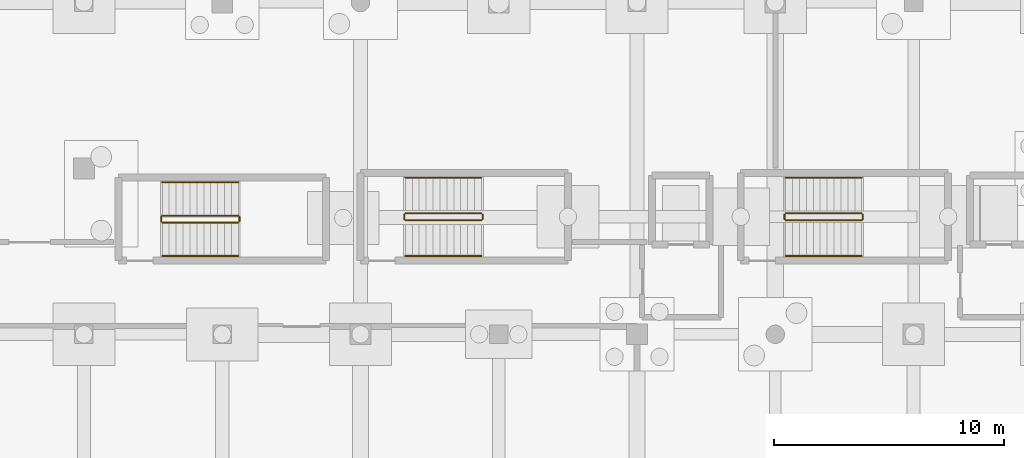
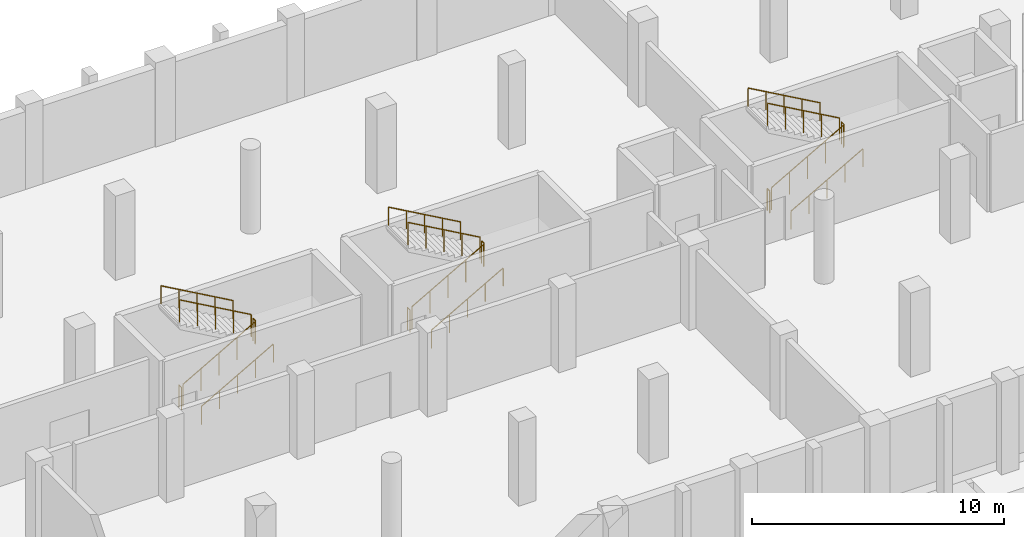
# One storey, part 9 of 11: 18 railings.
"""IFC4 building model written with IfcOpenShell, lengths in metres."""

import ifcopenshell
import ifcopenshell.guid

model = None  # the IFC model being written
_history = None  # IfcOwnerHistory: only IFC2X3 demands one
_inside = {}  # id of a spatial element -> (the spatial element, [elements in it])
_under = {}  # id of a project, library or spatial element -> (it, [spatial elements below it])
_declared = {}  # id of a project -> (the project, [libraries it declares])
_typed = {}  # id of a type object -> (the type object, [elements of that type])
_made_of = {}  # id of a material, layer set ... -> (it, [elements and type objects made of it])


def new_model(schema):
    """Start an empty IFC model of exactly this schema.

    Asked for "IFC4X3", IfcOpenShell would pick the latest addendum, in which some entities
    have other attributes; the version numbers below select the first issue.
    IFC2X3 requires an IfcOwnerHistory on every rooted entity: one is made here for all.
    """
    global model, _history
    if schema == "IFC4X3":
        model = ifcopenshell.file(schema_version=(4, 3, 0, 0))
    else:
        model = ifcopenshell.file(schema=schema)
    _inside.clear()
    _under.clear()
    _declared.clear()
    _typed.clear()
    _made_of.clear()
    _history = None
    if model.schema == "IFC2X3":
        org = make("IfcOrganization", Name="unknown")
        user = make(
            "IfcPersonAndOrganization",
            ThePerson=make("IfcPerson", FamilyName="unknown"),
            TheOrganization=org,
        )
        app = make(
            "IfcApplication",
            ApplicationDeveloper=org,
            Version="unknown",
            ApplicationFullName="unknown",
            ApplicationIdentifier="unknown",
        )
        _history = make(
            "IfcOwnerHistory",
            OwningUser=user,
            OwningApplication=app,
            ChangeAction="ADDED",
            CreationDate=0,
        )
    return model


def make(cls, **values):
    """One entity of the class cls with the attributes given. An attribute that is None is left unset."""
    return model.create_entity(
        cls, **{name: value for name, value in values.items() if value is not None}
    )


def rooted(cls, **values):
    """An entity with a GlobalId (a new one), such as an element, a storey or a relation."""
    return make(cls, GlobalId=ifcopenshell.guid.new(), OwnerHistory=_history, **values)


def si_unit(unit_type, name, prefix=None):
    """IfcSIUnit, for example si_unit("LENGTHUNIT", "METRE", prefix="MILLI")."""
    return make("IfcSIUnit", UnitType=unit_type, Prefix=prefix, Name=name)


def assignment(units):
    """IfcUnitAssignment: the units of a project."""
    return None if units is None else make("IfcUnitAssignment", Units=units)


def point(xyz):
    """IfcCartesianPoint."""
    return None if xyz is None else make("IfcCartesianPoint", Coordinates=xyz)


def direction(xyz):
    """IfcDirection."""
    return None if xyz is None else make("IfcDirection", DirectionRatios=xyz)


def frame(location, z_axis=None, x_axis=None):
    """IfcAxis2Placement3D, a coordinate frame: its origin and axes. An axis left out is left unset."""
    return make(
        "IfcAxis2Placement3D",
        Location=point(location),
        Axis=direction(z_axis),
        RefDirection=direction(x_axis),
    )


def frame_2d(location, x_axis=None):
    """IfcAxis2Placement2D, a coordinate frame in the plane: its origin and x axis."""
    return make(
        "IfcAxis2Placement2D", Location=point(location), RefDirection=direction(x_axis)
    )


def origin():
    """The frame at (0, 0, 0) with its axes left unset."""
    return frame((0.0, 0.0, 0.0))


def origin_2d():
    """The frame at (0, 0) in the plane with its x axis left unset."""
    return frame_2d((0.0, 0.0))


def place(relative_to, where):
    """IfcLocalPlacement: puts the frame where relative to a parent placement (None: the world)."""
    return make(
        "IfcLocalPlacement", PlacementRelTo=relative_to, RelativePlacement=where
    )


def context(
    kind, dimensions, precision=None, world=None, true_north=None, identifier=None
):
    """IfcGeometricRepresentationContext, for example the 3D "Model" context."""
    return make(
        "IfcGeometricRepresentationContext",
        ContextIdentifier=identifier,
        ContextType=kind,
        CoordinateSpaceDimension=dimensions,
        Precision=precision,
        WorldCoordinateSystem=world,
        TrueNorth=true_north,
    )


def subcontext(parent, identifier, kind, view, scale=None):
    """IfcGeometricRepresentationSubContext, for example "Body" below "Model"."""
    return make(
        "IfcGeometricRepresentationSubContext",
        ContextIdentifier=identifier,
        ContextType=kind,
        ParentContext=parent,
        TargetScale=scale,
        TargetView=view,
    )


def project(units=None, contexts=None):
    """IfcProject with its units and contexts."""
    return rooted(
        "IfcProject",
        Name="project",
        RepresentationContexts=contexts,
        UnitsInContext=assignment(units),
    )


def spatial(cls, under=None, at=None, **own):
    """A site, building, storey or space (cls), placed at a placement, below another one or the project."""
    s = rooted(cls, ObjectPlacement=at, **own)
    if under is not None:
        _under.setdefault(under.id(), (under, []))[1].append(s)
    return s


def profile(cls, at=None, kind="AREA", **sizes):
    """A parametric profile (cls). Its sizes go by their IFC names, for example OverallWidth=200.0."""
    return make(cls, ProfileType=kind, Position=at, **sizes)


def circle(**sizes):
    """IfcCircleProfileDef."""
    return profile("IfcCircleProfileDef", **sizes)


def extrude(swept, where, along, depth):
    """IfcExtrudedAreaSolid: the profile swept, set in the frame where, extruded along a direction by depth."""
    return make(
        "IfcExtrudedAreaSolid",
        SweptArea=swept,
        Position=where,
        ExtrudedDirection=direction(along),
        Depth=depth,
    )


def shape(context_of_items, identifier, shape_type, items):
    """IfcShapeRepresentation: the items that make up one representation, for example the "Body"."""
    return make(
        "IfcShapeRepresentation",
        ContextOfItems=context_of_items,
        RepresentationIdentifier=identifier,
        RepresentationType=shape_type,
        Items=items,
    )


def material(Name=None, Category=None):
    """IfcMaterial."""
    return make("IfcMaterial", Name=Name, Category=Category)


def made_of(thing, what):
    """Note that an element or type object is made of a material, layer set ...; save() writes the relation."""
    if what is not None:
        _made_of.setdefault(what.id(), (what, []))[1].append(thing)
    return thing


def type_object(cls, material=None, **own):
    """A type object (cls), such as IfcWallType, which elements share."""
    return made_of(rooted(cls, **own), material)


def element(
    cls,
    number,
    at=None,
    inside=None,
    cuts=None,
    type_object=None,
    material=None,
    context=None,
    identifier="Body",
    shape_type=None,
    held_by="IfcProductDefinitionShape",
    body=None,
    shapes=None,
    **own,
):
    """One element of the class cls, such as IfcWall. Its Tag is "e" and its number.

    at: its placement. inside: the storey or other place that contains it. cuts: it is an
    opening in that element (IfcRelVoidsElement). A single representation is given by context,
    identifier, shape_type and body (its items); several are given by shapes. held_by: the class
    of the entity that holds the representations. save() writes the other relations.
    """
    e = rooted(cls, Tag="e%d" % number, ObjectPlacement=at, **own)
    if body is not None:
        shapes = [shape(context, identifier, shape_type, body)]
    if shapes is not None:
        e.Representation = make(held_by, Representations=shapes)
    if inside is not None:
        _inside.setdefault(inside.id(), (inside, []))[1].append(e)
    if cuts is not None:
        rooted(
            "IfcRelVoidsElement", RelatingBuildingElement=cuts, RelatedOpeningElement=e
        )
    if type_object is not None:
        _typed.setdefault(type_object.id(), (type_object, []))[1].append(e)
    return made_of(e, material)


def aggregate(whole, parts):
    """IfcRelAggregates: a whole, such as a stair, and the parts it consists of."""
    return rooted("IfcRelAggregates", RelatingObject=whole, RelatedObjects=parts)


def save(model, path):
    """Write the relations noted so far, then the file.

    IfcRelAggregates (storeys below a building ...), IfcRelContainedInSpatialStructure (elements
    in a storey), IfcRelDefinesByType, IfcRelAssociatesMaterial and IfcRelDeclares: one each for
    every whole, place, type object, material and project.
    """
    for whole, parts in _under.values():
        aggregate(whole, parts)
    for where, things in _inside.values():
        rooted(
            "IfcRelContainedInSpatialStructure",
            RelatedElements=things,
            RelatingStructure=where,
        )
    for kind, things in _typed.values():
        rooted("IfcRelDefinesByType", RelatedObjects=things, RelatingType=kind)
    for what, things in _made_of.values():
        rooted("IfcRelAssociatesMaterial", RelatedObjects=things, RelatingMaterial=what)
    for by, libraries in _declared.values():
        rooted("IfcRelDeclares", RelatingContext=by, RelatedDefinitions=libraries)
    model.write(path)


model = new_model("IFC4")

# Units and contexts
model_context = context("Model", 3, precision=1e-05, world=origin(), true_north=direction((0.0, 1.0)))
body_context = subcontext(model_context, "Body", "Model", "MODEL_VIEW")
ifc_project = project(units=[si_unit("LENGTHUNIT", "METRE"), si_unit("AREAUNIT", "SQUARE_METRE"), si_unit("VOLUMEUNIT", "CUBIC_METRE"), si_unit("PLANEANGLEUNIT", "RADIAN"), si_unit("MASSUNIT", "GRAM", prefix="KILO")], contexts=[model_context])

# Site, building, storey
site_placement = place(None, origin())
site = spatial("IfcSite", under=ifc_project, at=site_placement, CompositionType="ELEMENT")
building_placement = place(site_placement, origin())
building = spatial("IfcBuilding", under=site, at=building_placement, Name="Dunvalen Ferry Terminal", CompositionType="ELEMENT")
storey_placement = place(building_placement, frame((0.0, 0.0, -4.080078125)))
storey = spatial("IfcBuildingStorey", under=building, at=storey_placement, Name="B1", CompositionType="ELEMENT", Elevation=-4.080078125)

# Railings
ifc_material_1 = material(Name="Painted galvanised steel S275", Category="steel")
railing_type_1 = type_object("IfcRailingType", Name="INT-RL-STGRD", PredefinedType="GUARDRAIL", material=ifc_material_1)
railing_1_placement = place(storey_placement, frame((25.949951171875, 19.35009765625, 0.170166015625)))
element("IfcRailing", 1, at=railing_1_placement, inside=storey, type_object=railing_type_1, Name="B1 ST1 stair guard 1", PredefinedType="GUARDRAIL", context=body_context, shape_type="SweptSolid", body=[
    extrude(circle(Radius=0.02392578125, at=origin_2d()), frame((0.0, 0.0, 1.076171875), z_axis=(0.870039670856, 0.0, 0.49298171481), x_axis=(0.0, 1.0, 0.0)), (0.0, 0.0, 1.0), 3.79296875),
    extrude(circle(Radius=0.02099609375, at=origin_2d()), origin(), (0.0, 0.0, 1.0), 1.052001953125),
    extrude(circle(Radius=0.02099609375, at=origin_2d()), frame((0.824951171875, 0.0, 0.467529296875)), (0.0, 0.0, 1.0), 1.052001953125),
    extrude(circle(Radius=0.02099609375, at=origin_2d()), frame((1.64990234375, 0.0, 0.93505859375)), (0.0, 0.0, 1.0), 1.052001953125),
    extrude(circle(Radius=0.02099609375, at=origin_2d()), frame((2.47509765625, 0.0, 1.40234375)), (0.0, 0.0, 1.0), 1.052001953125),
    extrude(circle(Radius=0.02099609375, at=origin_2d()), frame((3.300048828125, 0.0, 1.869873046875)), (0.0, 0.0, 1.0), 1.052001953125),
])
railing_2_placement = place(storey_placement, frame((29.300048828125, 19.39990234375, 2.0400390625)))
element("IfcRailing", 2, at=railing_2_placement, inside=storey, type_object=railing_type_1, Name="B1 ST1 stair guard 2", PredefinedType="GUARDRAIL", context=body_context, shape_type="SweptSolid", body=[
    extrude(circle(Radius=0.02392578125, at=origin_2d()), frame((0.0, 0.0, 1.076171875), z_axis=(0.0, 1.0, 0.0), x_axis=(-1.0, 0.0, 0.0)), (0.0, 0.0, 1.0), 0.2001953125),
    extrude(circle(Radius=0.02099609375, at=origin_2d()), origin(), (0.0, 0.0, 1.0), 1.052001953125),
    extrude(circle(Radius=0.02099609375, at=origin_2d()), frame((0.0, 0.2001953125, 0.0)), (0.0, 0.0, 1.0), 1.052001953125),
])
railing_3_placement = place(storey_placement, frame((29.25, 19.64990234375, 2.2099609375)))
element("IfcRailing", 3, at=railing_3_placement, inside=storey, type_object=railing_type_1, Name="B1 ST1 stair guard 3", PredefinedType="GUARDRAIL", context=body_context, shape_type="SweptSolid", body=[
    extrude(circle(Radius=0.02392578125, at=origin_2d()), frame((0.0, 0.0, 1.076171875), z_axis=(-0.870012062771, 0.0, 0.493030435808), x_axis=(0.0, -1.0, 0.0)), (0.0, 0.0, 1.0), 3.793212890625),
    extrude(circle(Radius=0.02099609375, at=origin_2d()), origin(), (0.0, 0.0, 1.0), 1.052001953125),
    extrude(circle(Radius=0.02099609375, at=origin_2d()), frame((-0.824951171875, 0.0, 0.467529296875)), (0.0, 0.0, 1.0), 1.052001953125),
    extrude(circle(Radius=0.02099609375, at=origin_2d()), frame((-1.64990234375, 0.0, 0.93505859375)), (0.0, 0.0, 1.0), 1.052001953125),
    extrude(circle(Radius=0.02099609375, at=origin_2d()), frame((-2.47509765625, 0.0, 1.402587890625)), (0.0, 0.0, 1.0), 1.052001953125),
    extrude(circle(Radius=0.02099609375, at=origin_2d()), frame((-3.300048828125, 0.0, 1.8701171875)), (0.0, 0.0, 1.0), 1.052001953125),
])
railing_4_placement = place(storey_placement, frame((25.89990234375, 19.39990234375, 0.0)))
element("IfcRailing", 4, at=railing_4_placement, inside=storey, type_object=railing_type_1, Name="B1 ST1 stair guard 4", PredefinedType="GUARDRAIL", context=body_context, shape_type="SweptSolid", body=[
    extrude(circle(Radius=0.02392578125, at=origin_2d()), frame((0.0, 0.0, 1.076171875), z_axis=(0.0, 1.0, 0.0), x_axis=(-1.0, 0.0, 0.0)), (0.0, 0.0, 1.0), 0.2001953125),
    extrude(circle(Radius=0.02099609375, at=origin_2d()), origin(), (0.0, 0.0, 1.0), 1.052001953125),
    extrude(circle(Radius=0.02099609375, at=origin_2d()), frame((0.0, 0.2001953125, 0.0)), (0.0, 0.0, 1.0), 1.052001953125),
])
railing_5_placement = place(storey_placement, frame((42.449951171875, 19.35009765625, 0.170166015625)))
element("IfcRailing", 5, at=railing_5_placement, inside=storey, type_object=railing_type_1, Name="B1 ST2 stair guard 1", PredefinedType="GUARDRAIL", context=body_context, shape_type="SweptSolid", body=[
    extrude(circle(Radius=0.02392578125, at=origin_2d()), frame((0.0, 0.0, 1.076171875), z_axis=(0.870039670856, 0.0, 0.49298171481), x_axis=(0.0, 1.0, 0.0)), (0.0, 0.0, 1.0), 3.79296875),
    extrude(circle(Radius=0.02099609375, at=origin_2d()), origin(), (0.0, 0.0, 1.0), 1.052001953125),
    extrude(circle(Radius=0.02099609375, at=origin_2d()), frame((0.824951171875, 0.0, 0.467529296875)), (0.0, 0.0, 1.0), 1.052001953125),
    extrude(circle(Radius=0.02099609375, at=origin_2d()), frame((1.64990234375, 0.0, 0.93505859375)), (0.0, 0.0, 1.0), 1.052001953125),
    extrude(circle(Radius=0.02099609375, at=origin_2d()), frame((2.47509765625, 0.0, 1.40234375)), (0.0, 0.0, 1.0), 1.052001953125),
    extrude(circle(Radius=0.02099609375, at=origin_2d()), frame((3.300048828125, 0.0, 1.869873046875)), (0.0, 0.0, 1.0), 1.052001953125),
])
railing_6_placement = place(storey_placement, frame((45.800048828125, 19.39990234375, 2.0400390625)))
element("IfcRailing", 6, at=railing_6_placement, inside=storey, type_object=railing_type_1, Name="B1 ST2 stair guard 2", PredefinedType="GUARDRAIL", context=body_context, shape_type="SweptSolid", body=[
    extrude(circle(Radius=0.02392578125, at=origin_2d()), frame((0.0, 0.0, 1.076171875), z_axis=(0.0, 1.0, 0.0), x_axis=(-1.0, 0.0, 0.0)), (0.0, 0.0, 1.0), 0.2001953125),
    extrude(circle(Radius=0.02099609375, at=origin_2d()), origin(), (0.0, 0.0, 1.0), 1.052001953125),
    extrude(circle(Radius=0.02099609375, at=origin_2d()), frame((0.0, 0.2001953125, 0.0)), (0.0, 0.0, 1.0), 1.052001953125),
])
railing_7_placement = place(storey_placement, frame((45.75, 19.64990234375, 2.2099609375)))
element("IfcRailing", 7, at=railing_7_placement, inside=storey, type_object=railing_type_1, Name="B1 ST2 stair guard 3", PredefinedType="GUARDRAIL", context=body_context, shape_type="SweptSolid", body=[
    extrude(circle(Radius=0.02392578125, at=origin_2d()), frame((0.0, 0.0, 1.076171875), z_axis=(-0.870012062771, 0.0, 0.493030435808), x_axis=(0.0, -1.0, 0.0)), (0.0, 0.0, 1.0), 3.793212890625),
    extrude(circle(Radius=0.02099609375, at=origin_2d()), origin(), (0.0, 0.0, 1.0), 1.052001953125),
    extrude(circle(Radius=0.02099609375, at=origin_2d()), frame((-0.824951171875, 0.0, 0.467529296875)), (0.0, 0.0, 1.0), 1.052001953125),
    extrude(circle(Radius=0.02099609375, at=origin_2d()), frame((-1.64990234375, 0.0, 0.93505859375)), (0.0, 0.0, 1.0), 1.052001953125),
    extrude(circle(Radius=0.02099609375, at=origin_2d()), frame((-2.47509765625, 0.0, 1.402587890625)), (0.0, 0.0, 1.0), 1.052001953125),
    extrude(circle(Radius=0.02099609375, at=origin_2d()), frame((-3.300048828125, 0.0, 1.8701171875)), (0.0, 0.0, 1.0), 1.052001953125),
])
railing_8_placement = place(storey_placement, frame((42.39990234375, 19.39990234375, 0.0)))
element("IfcRailing", 8, at=railing_8_placement, inside=storey, type_object=railing_type_1, Name="B1 ST2 stair guard 4", PredefinedType="GUARDRAIL", context=body_context, shape_type="SweptSolid", body=[
    extrude(circle(Radius=0.02392578125, at=origin_2d()), frame((0.0, 0.0, 1.076171875), z_axis=(0.0, 1.0, 0.0), x_axis=(-1.0, 0.0, 0.0)), (0.0, 0.0, 1.0), 0.2001953125),
    extrude(circle(Radius=0.02099609375, at=origin_2d()), origin(), (0.0, 0.0, 1.0), 1.052001953125),
    extrude(circle(Radius=0.02099609375, at=origin_2d()), frame((0.0, 0.2001953125, 0.0)), (0.0, 0.0, 1.0), 1.052001953125),
])
railing_9_placement = place(storey_placement, frame((15.39990234375, 19.25, 0.170166015625)))
element("IfcRailing", 9, at=railing_9_placement, inside=storey, type_object=railing_type_1, Name="B1 ST5 stair guard 1", PredefinedType="GUARDRAIL", context=body_context, shape_type="SweptSolid", body=[
    extrude(circle(Radius=0.02392578125, at=origin_2d()), frame((0.0, 0.0, 1.076171875), z_axis=(0.870039670856, 0.0, 0.49298171481), x_axis=(0.0, 1.0, 0.0)), (0.0, 0.0, 1.0), 3.79296875),
    extrude(circle(Radius=0.02099609375, at=origin_2d()), origin(), (0.0, 0.0, 1.0), 1.052001953125),
    extrude(circle(Radius=0.02099609375, at=origin_2d()), frame((0.824951171875, 0.0, 0.467529296875)), (0.0, 0.0, 1.0), 1.052001953125),
    extrude(circle(Radius=0.02099609375, at=origin_2d()), frame((1.64990234375, 0.0, 0.93505859375)), (0.0, 0.0, 1.0), 1.052001953125),
    extrude(circle(Radius=0.02099609375, at=origin_2d()), frame((2.47509765625, 0.0, 1.40234375)), (0.0, 0.0, 1.0), 1.052001953125),
    extrude(circle(Radius=0.02099609375, at=origin_2d()), frame((3.300048828125, 0.0, 1.869873046875)), (0.0, 0.0, 1.0), 1.052001953125),
])
railing_10_placement = place(storey_placement, frame((18.75, 19.300048828125, 2.0400390625)))
element("IfcRailing", 10, at=railing_10_placement, inside=storey, type_object=railing_type_1, Name="B1 ST5 stair guard 2", PredefinedType="GUARDRAIL", context=body_context, shape_type="SweptSolid", body=[
    extrude(circle(Radius=0.02392578125, at=origin_2d()), frame((0.0, 0.0, 1.076171875), z_axis=(0.0, 1.0, 0.0), x_axis=(-1.0, 0.0, 0.0)), (0.0, 0.0, 1.0), 0.199951171875),
    extrude(circle(Radius=0.02099609375, at=origin_2d()), origin(), (0.0, 0.0, 1.0), 1.052001953125),
    extrude(circle(Radius=0.02099609375, at=origin_2d()), frame((0.0, 0.199951171875, 0.0)), (0.0, 0.0, 1.0), 1.052001953125),
])
railing_11_placement = place(storey_placement, frame((18.699951171875, 19.550048828125, 2.2099609375)))
element("IfcRailing", 11, at=railing_11_placement, inside=storey, type_object=railing_type_1, Name="B1 ST5 stair guard 3", PredefinedType="GUARDRAIL", context=body_context, shape_type="SweptSolid", body=[
    extrude(circle(Radius=0.02392578125, at=origin_2d()), frame((0.0, 0.0, 1.076171875), z_axis=(-0.870012062771, 0.0, 0.493030435808), x_axis=(0.0, -1.0, 0.0)), (0.0, 0.0, 1.0), 3.793212890625),
    extrude(circle(Radius=0.02099609375, at=origin_2d()), origin(), (0.0, 0.0, 1.0), 1.052001953125),
    extrude(circle(Radius=0.02099609375, at=origin_2d()), frame((-0.824951171875, 0.0, 0.467529296875)), (0.0, 0.0, 1.0), 1.052001953125),
    extrude(circle(Radius=0.02099609375, at=origin_2d()), frame((-1.64990234375, 0.0, 0.93505859375)), (0.0, 0.0, 1.0), 1.052001953125),
    extrude(circle(Radius=0.02099609375, at=origin_2d()), frame((-2.47509765625, 0.0, 1.402587890625)), (0.0, 0.0, 1.0), 1.052001953125),
    extrude(circle(Radius=0.02099609375, at=origin_2d()), frame((-3.300048828125, 0.0, 1.8701171875)), (0.0, 0.0, 1.0), 1.052001953125),
])
railing_12_placement = place(storey_placement, frame((15.35009765625, 19.300048828125, 0.0)))
element("IfcRailing", 12, at=railing_12_placement, inside=storey, type_object=railing_type_1, Name="B1 ST5 stair guard 4", PredefinedType="GUARDRAIL", context=body_context, shape_type="SweptSolid", body=[
    extrude(circle(Radius=0.02392578125, at=origin_2d()), frame((0.0, 0.0, 1.076171875), z_axis=(0.0, 1.0, 0.0), x_axis=(-1.0, 0.0, 0.0)), (0.0, 0.0, 1.0), 0.199951171875),
    extrude(circle(Radius=0.02099609375, at=origin_2d()), origin(), (0.0, 0.0, 1.0), 1.052001953125),
    extrude(circle(Radius=0.02099609375, at=origin_2d()), frame((0.0, 0.199951171875, 0.0)), (0.0, 0.0, 1.0), 1.052001953125),
])
ifc_material_2 = material(Name="Brushed 316 stainless steel", Category="steel")
railing_type_2 = type_object("IfcRailingType", Name="INT-RL-STHND", PredefinedType="HANDRAIL", material=ifc_material_2)
railing_13_placement = place(storey_placement, frame((25.949951171875, 17.800048828125, 0.170166015625)))
element("IfcRailing", 13, at=railing_13_placement, inside=storey, type_object=railing_type_2, Name="B1 ST1 stair handrail 1", PredefinedType="HANDRAIL", context=body_context, shape_type="SweptSolid", body=[
    extrude(circle(Radius=0.02392578125, at=origin_2d()), frame((0.0, 0.0, 0.8759765625), z_axis=(0.870039670856, 0.0, 0.49298171481), x_axis=(0.0, 1.0, 0.0)), (0.0, 0.0, 1.0), 3.79296875),
    extrude(circle(Radius=0.02099609375, at=origin_2d()), origin(), (0.0, 0.0, 1.0), 0.851806640625),
    extrude(circle(Radius=0.02099609375, at=origin_2d()), frame((0.824951171875, 0.0, 0.467529296875)), (0.0, 0.0, 1.0), 0.851806640625),
    extrude(circle(Radius=0.02099609375, at=origin_2d()), frame((1.64990234375, 0.0, 0.93505859375)), (0.0, 0.0, 1.0), 0.851806640625),
    extrude(circle(Radius=0.02099609375, at=origin_2d()), frame((2.47509765625, 0.0, 1.40234375)), (0.0, 0.0, 1.0), 0.851806640625),
    extrude(circle(Radius=0.02099609375, at=origin_2d()), frame((3.300048828125, 0.0, 1.869873046875)), (0.0, 0.0, 1.0), 0.851806640625),
])
railing_14_placement = place(storey_placement, frame((29.25, 21.199951171875, 2.2099609375)))
element("IfcRailing", 14, at=railing_14_placement, inside=storey, type_object=railing_type_2, Name="B1 ST1 stair handrail 2", PredefinedType="HANDRAIL", context=body_context, shape_type="SweptSolid", body=[
    extrude(circle(Radius=0.02392578125, at=origin_2d()), frame((0.0, 0.0, 0.8759765625), z_axis=(-0.870012062771, 0.0, 0.493030435808), x_axis=(0.0, -1.0, 0.0)), (0.0, 0.0, 1.0), 3.793212890625),
    extrude(circle(Radius=0.02099609375, at=origin_2d()), origin(), (0.0, 0.0, 1.0), 0.851806640625),
    extrude(circle(Radius=0.02099609375, at=origin_2d()), frame((-0.824951171875, 0.0, 0.467529296875)), (0.0, 0.0, 1.0), 0.851806640625),
    extrude(circle(Radius=0.02099609375, at=origin_2d()), frame((-1.64990234375, 0.0, 0.93505859375)), (0.0, 0.0, 1.0), 0.851806640625),
    extrude(circle(Radius=0.02099609375, at=origin_2d()), frame((-2.47509765625, 0.0, 1.402587890625)), (0.0, 0.0, 1.0), 0.851806640625),
    extrude(circle(Radius=0.02099609375, at=origin_2d()), frame((-3.300048828125, 0.0, 1.8701171875)), (0.0, 0.0, 1.0), 0.851806640625),
])
railing_15_placement = place(storey_placement, frame((42.449951171875, 17.800048828125, 0.170166015625)))
element("IfcRailing", 15, at=railing_15_placement, inside=storey, type_object=railing_type_2, Name="B1 ST2 stair handrail 1", PredefinedType="HANDRAIL", context=body_context, shape_type="SweptSolid", body=[
    extrude(circle(Radius=0.02392578125, at=origin_2d()), frame((0.0, 0.0, 0.8759765625), z_axis=(0.870039670856, 0.0, 0.49298171481), x_axis=(0.0, 1.0, 0.0)), (0.0, 0.0, 1.0), 3.79296875),
    extrude(circle(Radius=0.02099609375, at=origin_2d()), origin(), (0.0, 0.0, 1.0), 0.851806640625),
    extrude(circle(Radius=0.02099609375, at=origin_2d()), frame((0.824951171875, 0.0, 0.467529296875)), (0.0, 0.0, 1.0), 0.851806640625),
    extrude(circle(Radius=0.02099609375, at=origin_2d()), frame((1.64990234375, 0.0, 0.93505859375)), (0.0, 0.0, 1.0), 0.851806640625),
    extrude(circle(Radius=0.02099609375, at=origin_2d()), frame((2.47509765625, 0.0, 1.40234375)), (0.0, 0.0, 1.0), 0.851806640625),
    extrude(circle(Radius=0.02099609375, at=origin_2d()), frame((3.300048828125, 0.0, 1.869873046875)), (0.0, 0.0, 1.0), 0.851806640625),
])
railing_16_placement = place(storey_placement, frame((45.75, 21.199951171875, 2.2099609375)))
element("IfcRailing", 16, at=railing_16_placement, inside=storey, type_object=railing_type_2, Name="B1 ST2 stair handrail 2", PredefinedType="HANDRAIL", context=body_context, shape_type="SweptSolid", body=[
    extrude(circle(Radius=0.02392578125, at=origin_2d()), frame((0.0, 0.0, 0.8759765625), z_axis=(-0.870012062771, 0.0, 0.493030435808), x_axis=(0.0, -1.0, 0.0)), (0.0, 0.0, 1.0), 3.793212890625),
    extrude(circle(Radius=0.02099609375, at=origin_2d()), origin(), (0.0, 0.0, 1.0), 0.851806640625),
    extrude(circle(Radius=0.02099609375, at=origin_2d()), frame((-0.824951171875, 0.0, 0.467529296875)), (0.0, 0.0, 1.0), 0.851806640625),
    extrude(circle(Radius=0.02099609375, at=origin_2d()), frame((-1.64990234375, 0.0, 0.93505859375)), (0.0, 0.0, 1.0), 0.851806640625),
    extrude(circle(Radius=0.02099609375, at=origin_2d()), frame((-2.47509765625, 0.0, 1.402587890625)), (0.0, 0.0, 1.0), 0.851806640625),
    extrude(circle(Radius=0.02099609375, at=origin_2d()), frame((-3.300048828125, 0.0, 1.8701171875)), (0.0, 0.0, 1.0), 0.851806640625),
])
railing_17_placement = place(storey_placement, frame((15.39990234375, 17.800048828125, 0.170166015625)))
element("IfcRailing", 17, at=railing_17_placement, inside=storey, type_object=railing_type_2, Name="B1 ST5 stair handrail 1", PredefinedType="HANDRAIL", context=body_context, shape_type="SweptSolid", body=[
    extrude(circle(Radius=0.02392578125, at=origin_2d()), frame((0.0, 0.0, 0.8759765625), z_axis=(0.870039670856, 0.0, 0.49298171481), x_axis=(0.0, 1.0, 0.0)), (0.0, 0.0, 1.0), 3.79296875),
    extrude(circle(Radius=0.02099609375, at=origin_2d()), origin(), (0.0, 0.0, 1.0), 0.851806640625),
    extrude(circle(Radius=0.02099609375, at=origin_2d()), frame((0.824951171875, 0.0, 0.467529296875)), (0.0, 0.0, 1.0), 0.851806640625),
    extrude(circle(Radius=0.02099609375, at=origin_2d()), frame((1.64990234375, 0.0, 0.93505859375)), (0.0, 0.0, 1.0), 0.851806640625),
    extrude(circle(Radius=0.02099609375, at=origin_2d()), frame((2.47509765625, 0.0, 1.40234375)), (0.0, 0.0, 1.0), 0.851806640625),
    extrude(circle(Radius=0.02099609375, at=origin_2d()), frame((3.300048828125, 0.0, 1.869873046875)), (0.0, 0.0, 1.0), 0.851806640625),
])
railing_18_placement = place(storey_placement, frame((18.699951171875, 21.0, 2.2099609375)))
element("IfcRailing", 18, at=railing_18_placement, inside=storey, type_object=railing_type_2, Name="B1 ST5 stair handrail 2", PredefinedType="HANDRAIL", context=body_context, shape_type="SweptSolid", body=[
    extrude(circle(Radius=0.02392578125, at=origin_2d()), frame((0.0, 0.0, 0.8759765625), z_axis=(-0.870012062771, 0.0, 0.493030435808), x_axis=(0.0, -1.0, 0.0)), (0.0, 0.0, 1.0), 3.793212890625),
    extrude(circle(Radius=0.02099609375, at=origin_2d()), origin(), (0.0, 0.0, 1.0), 0.851806640625),
    extrude(circle(Radius=0.02099609375, at=origin_2d()), frame((-0.824951171875, 0.0, 0.467529296875)), (0.0, 0.0, 1.0), 0.851806640625),
    extrude(circle(Radius=0.02099609375, at=origin_2d()), frame((-1.64990234375, 0.0, 0.93505859375)), (0.0, 0.0, 1.0), 0.851806640625),
    extrude(circle(Radius=0.02099609375, at=origin_2d()), frame((-2.47509765625, 0.0, 1.402587890625)), (0.0, 0.0, 1.0), 0.851806640625),
    extrude(circle(Radius=0.02099609375, at=origin_2d()), frame((-3.300048828125, 0.0, 1.8701171875)), (0.0, 0.0, 1.0), 0.851806640625),
])

save(model, "model.ifc")
